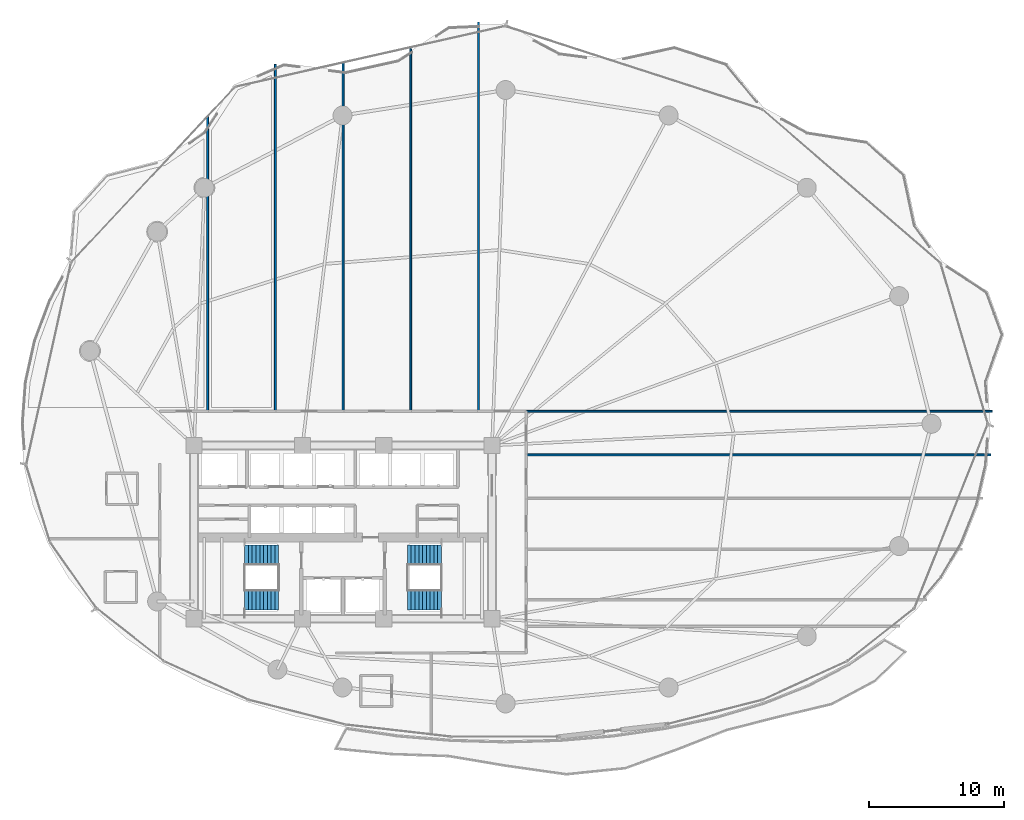
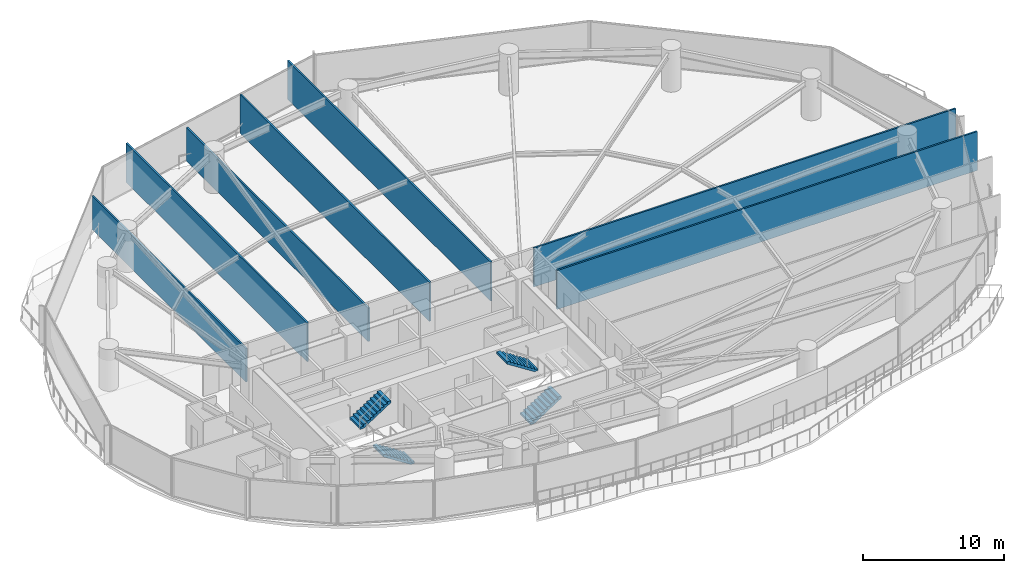
# One storey, part 28 of 34: 7 walls, 4 stair flights, 2 elements without a shape of their own.
"""IFC4 building model written with IfcOpenShell, lengths in metres."""

from ifc_helpers import new_model, si_unit, direction, frame, frame_2d, origin, place, context, subcontext, project, spatial, polyline, rectangle, outline, extrude, material, layer, layer_set, type_object, element, aggregate, save


model = new_model("IFC4")

# Units and contexts
model_context = context("Model", 3, precision=1e-05, world=origin(), true_north=direction((0.0, 1.0)))
body_context = subcontext(model_context, "Body", "Model", "MODEL_VIEW")
ifc_project = project(units=[si_unit("LENGTHUNIT", "METRE"), si_unit("AREAUNIT", "SQUARE_METRE"), si_unit("VOLUMEUNIT", "CUBIC_METRE"), si_unit("PLANEANGLEUNIT", "RADIAN"), si_unit("MASSUNIT", "GRAM", prefix="KILO")], contexts=[model_context])

# Site, building, storey
site_placement = place(None, origin())
site = spatial("IfcSite", under=ifc_project, at=site_placement, CompositionType="ELEMENT")
building_placement = place(site_placement, origin())
building = spatial("IfcBuilding", under=site, at=building_placement, Name="Kazevale Care Tower and Concert Hall", CompositionType="ELEMENT")
storey_placement = place(building_placement, frame((0.0, 0.0, 67.199951171875)))
storey = spatial("IfcBuildingStorey", under=building, at=storey_placement, Name="L17", CompositionType="ELEMENT", Elevation=67.199951171875)

# Walls
ifc_material_1 = material(Name="Acoustic Gypsum on Steel Stud", Category="steel")
ifc_layer_1 = layer(ifc_material_1, 0.139892578125)
ifc_layer_set_1 = layer_set([ifc_layer_1], Name="Acoustic Gypsum on Steel Stud")
wall_type = type_object("IfcWallType", Name="Acoustic Care & Suite Partition 140", PredefinedType="PARTITIONING", material=ifc_layer_set_1)
wall_1_placement = place(storey_placement, frame((23.0, 60.68896484375, 0.0), z_axis=(0.0, 0.0, 1.0), x_axis=(0.0, -1.0, 0.0)))
element("IfcWall", 1, at=wall_1_placement, inside=storey, type_object=wall_type, Name="wall:L17:auto_017", PredefinedType="PARTITIONING", context=body_context, shape_type="SweptSolid", body=[
    extrude(rectangle(XDim=21.7939453125, YDim=0.139892578125, at=frame_2d((10.89697265625, 0.0))), origin(), (0.0, 0.0, 1.0), 2.89013671875),
])
wall_2_placement = place(storey_placement, frame((28.0, 64.5390625, 0.0), z_axis=(0.0, 0.0, 1.0), x_axis=(0.0, -1.0, 0.0)))
element("IfcWall", 2, at=wall_2_placement, inside=storey, type_object=wall_type, Name="wall:L17:auto_018", PredefinedType="PARTITIONING", context=body_context, shape_type="SweptSolid", body=[
    extrude(rectangle(XDim=25.64404296875, YDim=0.139892578125, at=frame_2d((12.822021484375, 0.0))), origin(), (0.0, 0.0, 1.0), 3.360107421875),
])
wall_3_placement = place(storey_placement, frame((33.0, 64.662109375, 0.0), z_axis=(0.0, 0.0, 1.0), x_axis=(0.0, -1.0, 0.0)))
element("IfcWall", 3, at=wall_3_placement, inside=storey, type_object=wall_type, Name="wall:L17:auto_019", PredefinedType="PARTITIONING", context=body_context, shape_type="SweptSolid", body=[
    extrude(rectangle(XDim=25.76708984375, YDim=0.139892578125, at=frame_2d((12.883544921875, 0.0))), origin(), (0.0, 0.0, 1.0), 2.89013671875),
])
wall_4_placement = place(storey_placement, frame((38.0, 65.70703125, 0.0), z_axis=(0.0, 0.0, 1.0), x_axis=(0.0, -1.0, 0.0)))
element("IfcWall", 4, at=wall_4_placement, inside=storey, type_object=wall_type, Name="wall:L17:auto_020", PredefinedType="PARTITIONING", context=body_context, shape_type="SweptSolid", body=[
    extrude(rectangle(XDim=26.81201171875, YDim=0.139892578125, at=frame_2d((13.406005859375, 0.0))), origin(), (0.0, 0.0, 1.0), 3.360107421875),
])
wall_5_placement = place(storey_placement, frame((43.0, 67.662109375, 0.0), z_axis=(0.0, 0.0, 1.0), x_axis=(0.0, -1.0, 0.0)))
element("IfcWall", 5, at=wall_5_placement, inside=storey, type_object=wall_type, Name="wall:L17:auto_021", PredefinedType="PARTITIONING", context=body_context, shape_type="SweptSolid", body=[
    extrude(rectangle(XDim=28.76708984375, YDim=0.139892578125, at=frame_2d((14.383544921875, 0.0))), origin(), (0.0, 0.0, 1.0), 3.360107421875),
])
wall_6_placement = place(storey_placement, frame((80.931884765625, 38.925048828125, 0.0), z_axis=(0.0, 0.0, 1.0), x_axis=(-1.0, 0.0, 0.0)))
element("IfcWall", 6, at=wall_6_placement, inside=storey, type_object=wall_type, Name="wall:L17:auto_022", PredefinedType="PARTITIONING", context=body_context, shape_type="SweptSolid", body=[
    extrude(rectangle(XDim=34.471923828125, YDim=0.139892578125, at=frame_2d((17.23583984375, 0.0))), origin(), (0.0, 0.0, 1.0), 3.360107421875),
])
wall_7_placement = place(storey_placement, frame((46.4951171875, 35.7099609375, 0.0), z_axis=(0.0, 0.0, 1.0), x_axis=(1.0, 0.0, 0.0)))
element("IfcWall", 7, at=wall_7_placement, inside=storey, type_object=wall_type, Name="wall:L17:auto_027", PredefinedType="PARTITIONING", context=body_context, shape_type="SweptSolid", body=[
    extrude(rectangle(XDim=34.3369140625, YDim=0.139892578125, at=frame_2d((17.16845703125, 0.0))), origin(), (0.0, 0.0, 1.0), 3.360107421875),
])

# Stair, stair flights
ifc_material_2 = material(Name="Concrete C40", Category="concrete")
stair_type = type_object("IfcStairType", Name="Exit Stair Assembly ST1-Z1", PredefinedType="HALF_TURN_STAIR", material=ifc_material_2)
stair_1_placement = place(storey_placement, origin())
stair_1 = element("IfcStair", 8, at=stair_1_placement, inside=storey, type_object=stair_type, Name="stair:L17:ST1", PredefinedType="HALF_TURN_STAIR")
ifc_layer_2 = layer(ifc_material_2, 0.159912109375)
ifc_layer_set_2 = layer_set([ifc_layer_2], Name="Concrete C40")
stair_flight_type = type_object("IfcStairFlightType", Name="Exit Stair Flight ST1-Z1", PredefinedType="STRAIGHT", material=ifc_layer_set_2)
stair_flight_1_placement = place(storey_placement, frame((28.25, 24.989990234375, 0.0), z_axis=(0.0, 0.0, 1.0), x_axis=(-1.0, 0.0, 0.0)))
stair_flight_1 = element("IfcStairFlight", 9, at=stair_flight_1_placement, type_object=stair_flight_type, Name="ST1-Z1 flight 1", NumberOfRisers=10, NumberOfTreads=9, PredefinedType="STRAIGHT", RiserHeight=0.18, TreadLength=0.28, context=body_context, shape_type="SweptSolid", body=[
    extrude(outline(polyline([(0.0, 0.0), (0.0, 0.179931640625), (0.280029296875, 0.179931640625), (0.280029296875, 0.360107421875), (0.56005859375, 0.360107421875), (0.56005859375, 0.5400390625), (0.840087890625, 0.5400390625), (0.840087890625, 0.719970703125), (1.1201171875, 0.719970703125), (1.1201171875, 0.89990234375), (1.39990234375, 0.89990234375), (1.39990234375, 1.080078125), (1.679931640625, 1.080078125), (1.679931640625, 1.260009765625), (1.9599609375, 1.260009765625), (1.9599609375, 1.43994140625), (2.239990234375, 1.43994140625), (2.239990234375, 1.6201171875), (2.52001953125, 1.6201171875), (2.52001953125, 1.800048828125), (2.52001953125, 1.429931640625), (0.295654296875, 0.0), (0.0, 0.0)])), frame((0.0, 0.739990234375, 0.0), z_axis=(0.0, -1.0, 0.0), x_axis=(1.0, 0.0, 0.0)), (0.0, 0.0, 1.0), 1.47998046875),
])
stair_flight_2_placement = place(storey_placement, frame((25.72998046875, 28.31005859375, 1.800048828125), z_axis=(0.0, 0.0, 1.0), x_axis=(1.0, 0.0, 0.0)))
stair_flight_2 = element("IfcStairFlight", 10, at=stair_flight_2_placement, type_object=stair_flight_type, Name="ST1-Z1 flight 2", NumberOfRisers=10, NumberOfTreads=9, PredefinedType="STRAIGHT", RiserHeight=0.18, TreadLength=0.28, context=body_context, shape_type="SweptSolid", body=[
    extrude(outline(polyline([(0.0, 0.0), (0.0, 0.179931640625), (0.280029296875, 0.179931640625), (0.280029296875, 0.360107421875), (0.56005859375, 0.360107421875), (0.56005859375, 0.5400390625), (0.840087890625, 0.5400390625), (0.840087890625, 0.719970703125), (1.1201171875, 0.719970703125), (1.1201171875, 0.89990234375), (1.39990234375, 0.89990234375), (1.39990234375, 1.080078125), (1.679931640625, 1.080078125), (1.679931640625, 1.260009765625), (1.9599609375, 1.260009765625), (1.9599609375, 1.43994140625), (2.239990234375, 1.43994140625), (2.239990234375, 1.6201171875), (2.52001953125, 1.6201171875), (2.52001953125, 1.800048828125), (2.52001953125, 1.429931640625), (0.295654296875, 0.0), (0.0, 0.0)])), frame((0.0, 0.739990234375, 0.0), z_axis=(0.0, -1.0, 0.0), x_axis=(1.0, 0.0, 0.0)), (0.0, 0.0, 1.0), 1.47998046875),
])
aggregate(stair_1, [stair_flight_1, stair_flight_2])

stair_2_placement = place(storey_placement, origin())
stair_2 = element("IfcStair", 11, at=stair_2_placement, inside=storey, type_object=stair_type, Name="stair:L17:ST2", PredefinedType="HALF_TURN_STAIR")
stair_flight_3_placement = place(storey_placement, frame((37.75, 24.989990234375, 0.0), z_axis=(0.0, 0.0, 1.0), x_axis=(1.0, 0.0, 0.0)))
stair_flight_3 = element("IfcStairFlight", 12, at=stair_flight_3_placement, type_object=stair_flight_type, Name="ST1-Z1 flight 1", NumberOfRisers=10, NumberOfTreads=9, PredefinedType="STRAIGHT", RiserHeight=0.18, TreadLength=0.28, context=body_context, shape_type="SweptSolid", body=[
    extrude(outline(polyline([(0.0, 0.0), (0.0, 0.179931640625), (0.280029296875, 0.179931640625), (0.280029296875, 0.360107421875), (0.56005859375, 0.360107421875), (0.56005859375, 0.5400390625), (0.840087890625, 0.5400390625), (0.840087890625, 0.719970703125), (1.1201171875, 0.719970703125), (1.1201171875, 0.89990234375), (1.39990234375, 0.89990234375), (1.39990234375, 1.080078125), (1.679931640625, 1.080078125), (1.679931640625, 1.260009765625), (1.9599609375, 1.260009765625), (1.9599609375, 1.43994140625), (2.239990234375, 1.43994140625), (2.239990234375, 1.6201171875), (2.52001953125, 1.6201171875), (2.52001953125, 1.800048828125), (2.52001953125, 1.429931640625), (0.295654296875, 0.0), (0.0, 0.0)])), frame((0.0, 0.739990234375, 0.0), z_axis=(0.0, -1.0, 0.0), x_axis=(1.0, 0.0, 0.0)), (0.0, 0.0, 1.0), 1.47998046875),
])
stair_flight_4_placement = place(storey_placement, frame((40.27001953125, 28.31005859375, 1.800048828125), z_axis=(0.0, 0.0, 1.0), x_axis=(-1.0, 0.0, 0.0)))
stair_flight_4 = element("IfcStairFlight", 13, at=stair_flight_4_placement, type_object=stair_flight_type, Name="ST1-Z1 flight 2", NumberOfRisers=10, NumberOfTreads=9, PredefinedType="STRAIGHT", RiserHeight=0.18, TreadLength=0.28, context=body_context, shape_type="SweptSolid", body=[
    extrude(outline(polyline([(0.0, 0.0), (0.0, 0.179931640625), (0.280029296875, 0.179931640625), (0.280029296875, 0.360107421875), (0.56005859375, 0.360107421875), (0.56005859375, 0.5400390625), (0.840087890625, 0.5400390625), (0.840087890625, 0.719970703125), (1.1201171875, 0.719970703125), (1.1201171875, 0.89990234375), (1.39990234375, 0.89990234375), (1.39990234375, 1.080078125), (1.679931640625, 1.080078125), (1.679931640625, 1.260009765625), (1.9599609375, 1.260009765625), (1.9599609375, 1.43994140625), (2.239990234375, 1.43994140625), (2.239990234375, 1.6201171875), (2.52001953125, 1.6201171875), (2.52001953125, 1.800048828125), (2.52001953125, 1.429931640625), (0.295654296875, 0.0), (0.0, 0.0)])), frame((0.0, 0.739990234375, 0.0), z_axis=(0.0, -1.0, 0.0), x_axis=(1.0, 0.0, 0.0)), (0.0, 0.0, 1.0), 1.47998046875),
])
aggregate(stair_2, [stair_flight_3, stair_flight_4])

save(model, "model.ifc")
